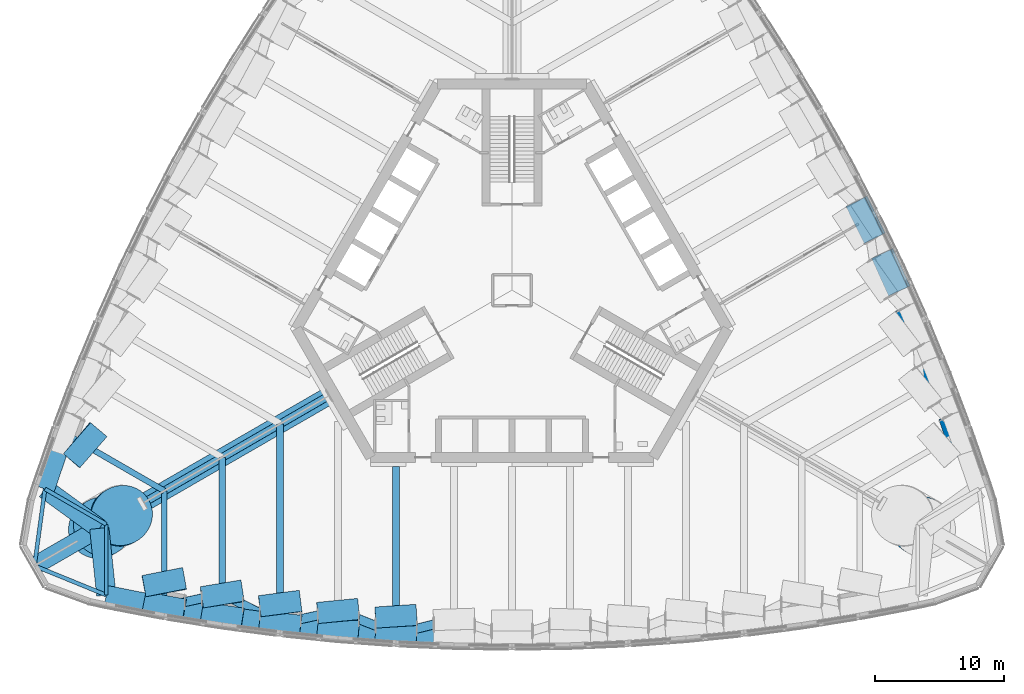
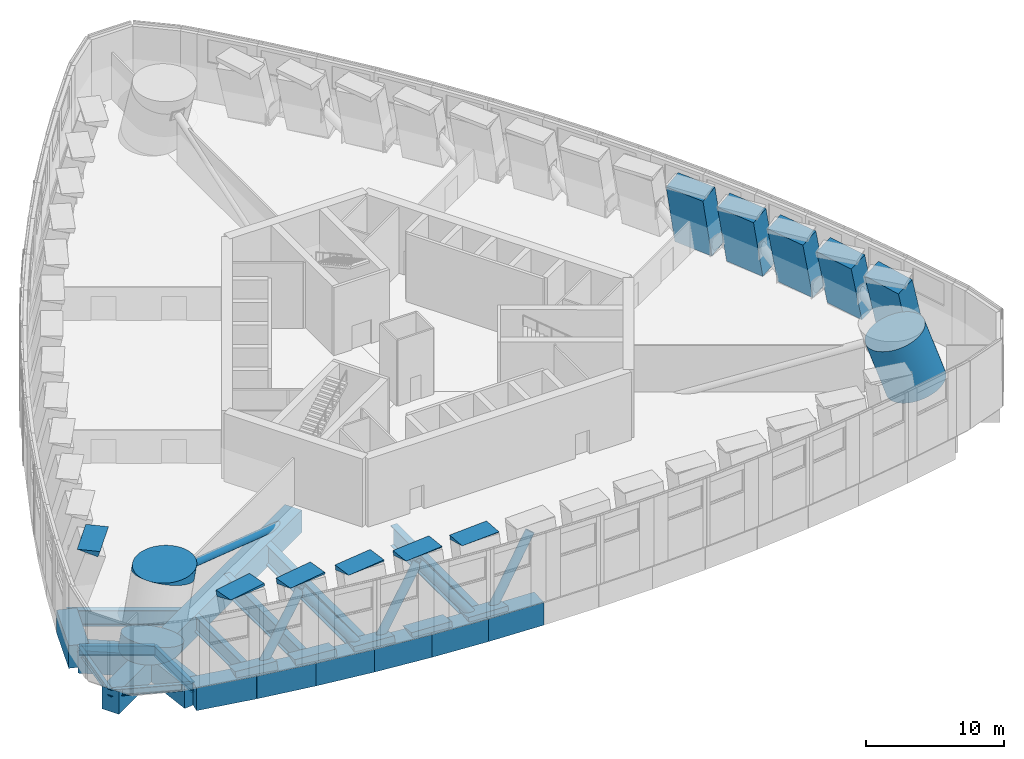
# One storey, part 2 of 28: 20 beams, 19 members, 6 columns.
"""IFC4 building model written with IfcOpenShell, lengths in metres."""

from ifc_helpers import new_model, si_unit, direction, frame, origin, origin_2d, place, context, subcontext, project, spatial, rectangle, circle, hollow_circle, i_section, extrude, clip, halfspace, material, material_profile, profile_set, type_object, element, save


model = new_model("IFC4")

# Units and contexts
model_context = context("Model", 3, precision=1e-05, world=origin(), true_north=direction((0.0, 1.0)))
body_context = subcontext(model_context, "Body", "Model", "MODEL_VIEW")
ifc_project = project(units=[si_unit("LENGTHUNIT", "METRE"), si_unit("AREAUNIT", "SQUARE_METRE"), si_unit("VOLUMEUNIT", "CUBIC_METRE"), si_unit("PLANEANGLEUNIT", "RADIAN"), si_unit("MASSUNIT", "GRAM", prefix="KILO")], contexts=[model_context])

# Site, building, storey
site_placement = place(None, origin())
site = spatial("IfcSite", under=ifc_project, at=site_placement, CompositionType="ELEMENT")
building_placement = place(site_placement, origin())
building = spatial("IfcBuilding", under=site, at=building_placement, Name="Trefoil Bronze Tower", CompositionType="ELEMENT")
storey_placement = place(building_placement, frame((0.0, 0.0, 92.10009765625)))
storey = spatial("IfcBuildingStorey", under=building, at=storey_placement, Name="L21", CompositionType="ELEMENT", Elevation=92.10009765625)

# Columns
ifc_material_1 = material(Name="Concrete B80", Category="concrete")
ifc_material_profile_1 = material_profile(ifc_material_1, circle(Radius=2.300048828125, at=origin_2d()), Name="RC D4600")
ifc_profile_set_1 = profile_set([ifc_material_profile_1], Name="Concrete B80")
column_type_1 = type_object("IfcColumnType", Name="Mega column RC D4600", PredefinedType="COLUMN", material=ifc_profile_set_1)
column_1_placement = place(storey_placement, frame((32.04296875, -18.5, 0.0), z_axis=(-0.273879842323, 0.158113013975, 0.948678083852), x_axis=(-0.499972520799, -0.866041268327, 0.0)))
element("IfcColumn", 1, at=column_1_placement, inside=storey, type_object=column_type_1, Name="Mega column K1 L21", PredefinedType="COLUMN", context=body_context, shape_type="Clipping", body=[
    clip(clip(extrude(circle(Radius=2.300048828125, at=origin_2d()), origin(), (0.0, 0.0, 1.0), 6.32470703125), halfspace(frame((0.0, 0.0, 0.767578125), z_axis=(-1.0033762616878938e-05, 1.6488271940395816e-05, 0.9999999998137303), x_axis=(0.0, 0.9999999998640685, -1.6488271941225806e-05)), True)), halfspace(frame((0.0, 0.0, 5.556884765625), z_axis=(1.0033762616878938e-05, -1.6488271940395816e-05, -0.9999999998137303), x_axis=(0.0, -0.9999999998640685, 1.6488271941225806e-05)), True)),
])
ifc_material_2 = material(Name="Concrete B80", Category="concrete")
ifc_material_profile_2 = material_profile(ifc_material_2, rectangle(XDim=3.199951171875, YDim=1.60009765625, at=origin_2d()), Name="RC 3200x1600")
ifc_profile_set_2 = profile_set([ifc_material_profile_2], Name="Concrete B80")
column_type_2 = type_object("IfcColumnType", Name="Tube column RC 3200x1600", PredefinedType="COLUMN", material=ifc_profile_set_2)
column_2_placement = place(storey_placement, frame((34.7763671875, -11.0986328125, 0.0), z_axis=(-0.260253003307, -0.150307169968, 0.953769431742), x_axis=(-0.339184179186, 0.939084894567, 0.055440539186)))
element("IfcColumn", 2, at=column_2_placement, inside=storey, type_object=column_type_2, Name="Tube column F2/-6 L21", PredefinedType="COLUMN", context=body_context, shape_type="Clipping", body=[
    clip(clip(extrude(rectangle(XDim=3.199951171875, YDim=1.60009765625, at=origin_2d()), origin(), (0.0, 0.0, 1.0), 6.290771484375), halfspace(frame((0.0, 0.0, 0.341552734375), z_axis=(3.97536991854075e-05, 2.3073170005383226e-05, 0.9999999989436362), x_axis=(0.0, 0.9999999997338145, -2.3073170023615142e-05)), True)), halfspace(frame((0.000244140625, 0.0, 5.948974609375), z_axis=(-3.97536991854075e-05, -2.3073170005383226e-05, -0.9999999989436362), x_axis=(0.0, -0.9999999997338145, 2.3073170023615142e-05)), True)),
])
column_3_placement = place(storey_placement, frame((33.159912109375, -6.8359375, 0.0), z_axis=(-0.236939319597, -0.136786078955, 0.961846831586), x_axis=(-0.363310131171, 0.930682021103, 0.042857020249)))
element("IfcColumn", 3, at=column_3_placement, inside=storey, type_object=column_type_2, Name="Tube column F2/-5 L21", PredefinedType="COLUMN", context=body_context, shape_type="Clipping", body=[
    clip(clip(extrude(rectangle(XDim=3.199951171875, YDim=1.60009765625, at=origin_2d()), origin(), (0.0, 0.0, 1.0), 6.238037109375), halfspace(frame((0.0, 0.0, 0.296875), z_axis=(-1.1830986778905983e-05, 1.4324303993784593e-05, 0.9999999998274212), x_axis=(0.0, 0.9999999998974072, -1.4324303994787094e-05)), True)), halfspace(frame((0.0, 0.000244140625, 5.94091796875), z_axis=(1.1830986778905983e-05, -1.4324303993784593e-05, -0.9999999998274212), x_axis=(0.0, -0.9999999998974072, 1.4324303994787094e-05)), True)),
])
column_4_placement = place(storey_placement, frame((31.42578125, -2.640869140625, 0.0), z_axis=(-0.217636836674, -0.125674836379, 0.967904976133), x_axis=(-0.390430392584, 0.920087338943, 0.031676446499)))
element("IfcColumn", 4, at=column_4_placement, inside=storey, type_object=column_type_2, Name="Tube column F2/-4 L21", PredefinedType="COLUMN", context=body_context, shape_type="Clipping", body=[
    clip(clip(extrude(rectangle(XDim=3.199951171875, YDim=1.60009765625, at=origin_2d()), origin(), (0.0, 0.0, 1.0), 6.198974609375), halfspace(frame((0.0, 0.0, 0.25927734375), z_axis=(1.6119245002534085e-05, 2.5335897412520618e-05, 0.9999999995491311), x_axis=(0.0, 0.9999999996790462, -2.5335897415812134e-05)), True)), halfspace(frame((0.0, 0.0, 5.939453125), z_axis=(-1.6119245002534085e-05, -2.5335897412520618e-05, -0.9999999995491311), x_axis=(0.0, -0.9999999996790462, 2.5335897415812134e-05)), True)),
])
column_5_placement = place(storey_placement, frame((29.575927734375, 1.487060546875, 0.0), z_axis=(-0.20262976704, -0.116980910023, 0.972243099332), x_axis=(-0.417791222298, 0.908271551682, 0.022209974679)))
element("IfcColumn", 5, at=column_5_placement, inside=storey, type_object=column_type_2, Name="Tube column F2/-3 L21", PredefinedType="COLUMN", context=body_context, shape_type="Clipping", body=[
    clip(clip(extrude(rectangle(XDim=3.199951171875, YDim=1.60009765625, at=origin_2d()), origin(), (0.0, 0.0, 1.0), 6.17138671875), halfspace(frame((0.000244140625, 0.0, 0.22900390625), z_axis=(-6.181182433073058e-06, -3.065069579338831e-06, 0.9999999999761991), x_axis=(0.0, 0.9999999999953028, 3.0650695793973846e-06)), True)), halfspace(frame((0.0, 0.0, 5.94189453125), z_axis=(6.181182433073058e-06, 3.065069579338831e-06, -0.9999999999761991), x_axis=(0.0, -0.9999999999953028, -3.0650695793973846e-06)), True)),
])
column_6_placement = place(storey_placement, frame((27.61083984375, 5.548828125, 0.0), z_axis=(-0.191886340443, -0.110783015409, 0.975144479474), x_axis=(-0.445390477365, 0.895226011395, 0.014060981253)))
element("IfcColumn", 6, at=column_6_placement, inside=storey, type_object=column_type_2, Name="Tube column F2/-2 L21", PredefinedType="COLUMN", context=body_context, shape_type="Clipping", body=[
    clip(clip(extrude(rectangle(XDim=3.199951171875, YDim=1.60009765625, at=origin_2d()), origin(), (0.0, 0.0, 1.0), 6.15283203125), halfspace(frame((0.0, 0.0, 0.205322265625), z_axis=(-8.069350751413462e-07, -2.2984768012629386e-05, 0.9999999997355247), x_axis=(0.0, 0.9999999997358503, 2.298476801263687e-05)), True)), halfspace(frame((0.0, 0.0, 5.947265625), z_axis=(8.069350751413462e-07, 2.2984768012629386e-05, -0.9999999997355247), x_axis=(0.0, -0.9999999997358503, -2.298476801263687e-05)), True)),
])

# Members
ifc_material_3 = material(Name="Steel C355", Category="steel")
ifc_material_profile_3 = material_profile(ifc_material_3, hollow_circle(Radius=0.35546875, WallThickness=0.02490234375, at=origin_2d()), Name="CHS 711x25")
ifc_profile_set_3 = profile_set([ifc_material_profile_3], Name="Steel C355")
member_type_1 = type_object("IfcMemberType", Name="Belt truss diagonal CHS 711x25", PredefinedType="BRACE", material=ifc_profile_set_3)
member_1_placement = place(storey_placement, frame((-27.0, -24.56787109375, -1.25), z_axis=(0.591893033477, 0.12828844774, 0.795741610762), x_axis=(-0.211824249233, 0.977307775185, 0.0)))
element("IfcMember", 7, at=member_1_placement, inside=storey, type_object=member_type_1, Name="Belt truss diagonal F1.1 L21", PredefinedType="BRACE", context=body_context, shape_type="SweptSolid", body=[
    extrude(hollow_circle(Radius=0.35546875, WallThickness=0.02490234375, at=origin_2d()), origin(), (0.0, 0.0, 1.0), 7.602783203125),
])
member_2_placement = place(storey_placement, frame((-18.0, -25.895263671875, -1.25), z_axis=(-0.570797990867, 0.292088034389, 0.767381413503), x_axis=(-0.455539895874, -0.890215369036, 0.0)))
element("IfcMember", 8, at=member_2_placement, inside=storey, type_object=member_type_1, Name="Belt truss diagonal F1.2 L21", PredefinedType="BRACE", context=body_context, shape_type="SweptSolid", body=[
    extrude(hollow_circle(Radius=0.35546875, WallThickness=0.02490234375, at=origin_2d()), origin(), (0.0, 0.0, 1.0), 7.8837890625),
])
member_3_placement = place(storey_placement, frame((-18.0, -25.895263671875, -1.25), z_axis=(0.591824531446, 0.129172639432, 0.795649516559), x_axis=(-0.213241590222, 0.976999500614, 0.0)))
element("IfcMember", 9, at=member_3_placement, inside=storey, type_object=member_type_1, Name="Belt truss diagonal F1.3 L21", PredefinedType="BRACE", context=body_context, shape_type="SweptSolid", body=[
    extrude(hollow_circle(Radius=0.35546875, WallThickness=0.02490234375, at=origin_2d()), origin(), (0.0, 0.0, 1.0), 7.603515625),
])
member_4_placement = place(storey_placement, frame((-9.0, -26.68603515625, -1.25), z_axis=(-0.580979041771, 0.228899186271, 0.781068828944), x_axis=(-0.366564241631, -0.930392743285, 0.0)))
element("IfcMember", 10, at=member_4_placement, inside=storey, type_object=member_type_1, Name="Belt truss diagonal F1.4 L21", PredefinedType="BRACE", context=body_context, shape_type="SweptSolid", body=[
    extrude(hollow_circle(Radius=0.35546875, WallThickness=0.02490234375, at=origin_2d()), origin(), (0.0, 0.0, 1.0), 7.74560546875),
])
member_5_placement = place(storey_placement, frame((-9.0, -26.68603515625, -1.25), z_axis=(0.590370828196, 0.146663846697, 0.793695156396), x_axis=(-0.241098240834, 0.970500715233, 0.0)))
element("IfcMember", 11, at=member_5_placement, inside=storey, type_object=member_type_1, Name="Belt truss diagonal F1.5 L21", PredefinedType="BRACE", context=body_context, shape_type="SweptSolid", body=[
    extrude(hollow_circle(Radius=0.35546875, WallThickness=0.02490234375, at=origin_2d()), origin(), (0.0, 0.0, 1.0), 7.622314453125),
])
ifc_material_4 = material(Name="Concrete B80", Category="concrete")
ifc_material_profile_4 = material_profile(ifc_material_4, rectangle(XDim=3.199951171875, YDim=1.60009765625, at=origin_2d()), Name="RC 3200x1600")
ifc_profile_set_4 = profile_set([ifc_material_profile_4], Name="Concrete B80")
member_type_2 = type_object("IfcMemberType", Name="Column node RC 3200x1600", PredefinedType="MEMBER", material=ifc_profile_set_4)
member_6_placement = place(storey_placement, frame((-9.0, -26.7314453125, -0.200439453125), z_axis=(0.0, 0.221646787207, 0.97512701825), x_axis=(0.997984339214, -0.061882229636, 0.014065857193)))
element("IfcMember", 12, at=member_6_placement, inside=storey, type_object=member_type_2, Name="Column node TC3216 L21 bottom", PredefinedType="MEMBER", context=body_context, shape_type="Clipping", body=[
    clip(extrude(rectangle(XDim=3.199951171875, YDim=1.60009765625, at=origin_2d()), origin(), (0.0, 0.0, 1.0), 0.410888671875), halfspace(frame((0.0, 0.0, 0.205322265625), z_axis=(0.014065857193368062, -0.22120002247000287, 0.9751270182497694), x_axis=(0.0, 0.9752234961962412, 0.22122190774600076)), True)),
])
member_7_placement = place(storey_placement, frame((-9.0, -25.27734375, 6.2001953125), z_axis=(0.0, -0.221646787207, -0.97512701825), x_axis=(-0.997984339214, -0.061882229636, 0.014065857193)))
element("IfcMember", 13, at=member_7_placement, inside=storey, type_object=member_type_2, Name="Column node TC3216 L21 top", PredefinedType="MEMBER", context=body_context, shape_type="Clipping", body=[
    clip(extrude(rectangle(XDim=3.199951171875, YDim=1.60009765625, at=origin_2d()), origin(), (0.0, 0.0, 1.0), 0.410888671875), halfspace(frame((0.0, 0.0, 0.205322265625), z_axis=(-0.014065857193368062, 0.22120002247000287, 0.9751270182497694), x_axis=(0.0, 0.9752234961962412, -0.22122190774600076)), True)),
])
member_8_placement = place(storey_placement, frame((-13.5, -26.41064453125, -0.222900390625), z_axis=(0.0, 0.23387665475, 0.972266275442), x_axis=(0.995484390526, -0.092292747966, 0.022200830881)))
element("IfcMember", 14, at=member_8_placement, inside=storey, type_object=member_type_2, Name="Column node TC3216 L21 bottom", PredefinedType="MEMBER", context=body_context, shape_type="Clipping", body=[
    clip(extrude(rectangle(XDim=3.199951171875, YDim=1.60009765625, at=origin_2d()), origin(), (0.0, 0.0, 1.0), 0.458251953125), halfspace(frame((0.0, 0.0, 0.229248046875), z_axis=(0.02220083088062542, -0.23282055911235583, 0.9722662754424941), x_axis=(0.0, 0.9725059678401835, 0.23287795626728608)), True)),
])
member_9_placement = place(storey_placement, frame((-13.5, -24.859375, 6.22265625), z_axis=(0.0, -0.23438016878, -0.972145018237), x_axis=(-0.995484390526, -0.09228123758, 0.022248627142)))
element("IfcMember", 15, at=member_9_placement, inside=storey, type_object=member_type_2, Name="Column node TC3216 L21 top", PredefinedType="MEMBER", context=body_context, shape_type="Clipping", body=[
    clip(extrude(rectangle(XDim=3.199951171875, YDim=1.60009765625, at=origin_2d()), origin(), (0.0, 0.0, 1.0), 0.458251953125), halfspace(frame((0.0, 0.0, 0.229248046875), z_axis=(-0.02224862714246216, 0.2333217994697166, 0.9721450182367285), x_axis=(0.0, 0.9723857141762793, -0.2333795682271422)), True)),
])
member_10_placement = place(storey_placement, frame((-18.0, -25.96044921875, -0.251220703125), z_axis=(0.0, 0.251713177021, 0.967801878751), x_axis=(0.99202489659, -0.121983756508, 0.031726451012)))
element("IfcMember", 16, at=member_10_placement, inside=storey, type_object=member_type_2, Name="Column node TC3216 L21 bottom", PredefinedType="MEMBER", context=body_context, shape_type="Clipping", body=[
    clip(extrude(rectangle(XDim=3.199951171875, YDim=1.60009765625, at=origin_2d()), origin(), (0.0, 0.0, 1.0), 0.518798828125), halfspace(frame((0.0, 0.0, 0.259521484375), z_axis=(0.03172645101194013, -0.2497057384044261, 0.967801878751063), x_axis=(0.0, 0.9682893258208815, 0.24983150622237985)), True)),
])
member_11_placement = place(storey_placement, frame((-18.0, -24.27197265625, 6.2509765625), z_axis=(0.0, -0.251272416994, -0.967916407784), x_axis=(-0.99202489659, -0.121998191985, 0.031670896704)))
element("IfcMember", 17, at=member_11_placement, inside=storey, type_object=member_type_2, Name="Column node TC3216 L21 top", PredefinedType="MEMBER", context=body_context, shape_type="Clipping", body=[
    clip(extrude(rectangle(XDim=3.199951171875, YDim=1.60009765625, at=origin_2d()), origin(), (0.0, 0.0, 1.0), 0.518798828125), halfspace(frame((0.0, 0.0, 0.25927734375), z_axis=(-0.03167089670380934, 0.2492684934844656, 0.9679164077842475), x_axis=(0.0, 0.9684022054672045, -0.2493936014541157)), True)),
])
member_12_placement = place(storey_placement, frame((-22.5, -25.380615234375, -0.285888671875), z_axis=(0.0, 0.273635650863, 0.961833421428), x_axis=(0.987654538404, -0.150669026575, 0.042864404826)))
element("IfcMember", 18, at=member_12_placement, inside=storey, type_object=member_type_2, Name="Column node TC3216 L21 bottom", PredefinedType="MEMBER", context=body_context, shape_type="Clipping", body=[
    clip(extrude(rectangle(XDim=3.199951171875, YDim=1.60009765625, at=origin_2d()), origin(), (0.0, 0.0, 1.0), 0.59423828125), halfspace(frame((0.0, 0.0, 0.297119140625), z_axis=(0.04286440482648069, -0.2702574924443748, 0.9618334214283419), x_axis=(0.0, 0.9627182567156463, 0.2705061148779954)), True)),
])
member_13_placement = place(storey_placement, frame((-22.5, -23.51123046875, 6.28564453125), z_axis=(0.0, -0.273635650863, -0.961833421428), x_axis=(-0.987654538404, -0.150669026575, 0.042864404826)))
element("IfcMember", 19, at=member_13_placement, inside=storey, type_object=member_type_2, Name="Column node TC3216 L21 top", PredefinedType="MEMBER", context=body_context, shape_type="Clipping", body=[
    clip(extrude(rectangle(XDim=3.199951171875, YDim=1.60009765625, at=origin_2d()), origin(), (0.0, 0.0, 1.0), 0.59423828125), halfspace(frame((0.0, 0.0, 0.297119140625), z_axis=(-0.04286440482648069, 0.2702574924443748, 0.9618334214283419), x_axis=(0.0, 0.9627182567156463, -0.2705061148779954)), True)),
])
member_14_placement = place(storey_placement, frame((-27.0, -24.670654296875, -0.326171875), z_axis=(0.0, 0.300327992537, 0.953835990566), x_axis=(0.982838110914, -0.175954297973, 0.05540155919)))
element("IfcMember", 20, at=member_14_placement, inside=storey, type_object=member_type_2, Name="Column node TC3216 L21 bottom", PredefinedType="MEMBER", context=body_context, shape_type="Clipping", body=[
    clip(extrude(rectangle(XDim=3.199951171875, YDim=1.60009765625, at=origin_2d()), origin(), (0.0, 0.0, 1.0), 0.68359375), halfspace(frame((0.0, 0.0, 0.341796875), z_axis=(0.055401559189687546, -0.29517379683935485, 0.9538359905658786), x_axis=(0.0, 0.9553031889482043, 0.295627835606513)), True)),
])
member_15_placement = place(storey_placement, frame((-27.0, -22.574462890625, 6.325927734375), z_axis=(0.0, -0.3006528384, -0.953733647704), x_axis=(-0.982838110914, -0.175935418767, 0.055461483565)))
element("IfcMember", 21, at=member_15_placement, inside=storey, type_object=member_type_2, Name="Column node TC3216 L21 top", PredefinedType="MEMBER", context=body_context, shape_type="Clipping", body=[
    clip(extrude(rectangle(XDim=3.199951171875, YDim=1.60009765625, at=origin_2d()), origin(), (0.0, 0.0, 1.0), 0.683837890625), halfspace(frame((0.0, 0.0, 0.341796875), z_axis=(-0.05546148356491458, 0.2954930677338513, 0.9537336477036009), x_axis=(0.0, 0.9552038713352817, -0.2959485836865769)), True)),
])
member_16_placement = place(storey_placement, frame((-33.050048828125, -12.095458984375, 6.325927734375), z_axis=(-0.260308621735, 0.150329121743, -0.953750793765), x_axis=(0.643873994787, 0.76311952906, -0.05545144907)))
element("IfcMember", 22, at=member_16_placement, inside=storey, type_object=member_type_2, Name="Column node TC3216 L21 top", PredefinedType="MEMBER", context=body_context, shape_type="Clipping", body=[
    clip(extrude(rectangle(XDim=3.199951171875, YDim=1.60009765625, at=origin_2d()), origin(), (0.0, 0.0, 1.0), 0.683837890625), halfspace(frame((0.0, 0.0, 0.341796875), z_axis=(0.055451449069781666, 0.29543960497809013, 0.9537507937645198), x_axis=(0.0, 0.9552205106288151, -0.29589487334867065)), True)),
])
ifc_material_5 = material(Name="Concrete B80", Category="concrete")
ifc_material_profile_5 = material_profile(ifc_material_5, circle(Radius=2.300048828125, at=origin_2d()), Name="RC D4600")
ifc_profile_set_5 = profile_set([ifc_material_profile_5], Name="Concrete B80")
member_type_3 = type_object("IfcMemberType", Name="Column node RC D4600", PredefinedType="MEMBER", material=ifc_profile_set_5)
member_17_placement = place(storey_placement, frame((-32.253173828125, -18.621337890625, -0.728271484375), z_axis=(0.273828881458, 0.158063825882, 0.94870099116), x_axis=(-0.499925626596, 0.866068339032, 0.0)))
element("IfcMember", 23, at=member_17_placement, inside=storey, type_object=member_type_3, Name="Column node MC46 L21 bottom", PredefinedType="MEMBER", context=body_context, shape_type="Clipping", body=[
    clip(extrude(circle(Radius=2.300048828125, at=origin_2d()), origin(), (0.0, 0.0, 1.0), 1.535400390625), halfspace(frame((0.0, 0.0, 0.767578125), z_axis=(0.0, 0.31617468173918134, 0.9487009911595579), x_axis=(0.0, 0.9487009911595579, -0.31617468173918134)), True)),
])
member_18_placement = place(storey_placement, frame((-30.1005859375, -17.378662109375, 6.728271484375), z_axis=(-0.273975966259, -0.158056941649, -0.94865967191), x_axis=(0.499707946392, -0.866193955366, 0.0)))
element("IfcMember", 24, at=member_18_placement, inside=storey, type_object=member_type_3, Name="Column node MC46 L21 top", PredefinedType="MEMBER", context=body_context, shape_type="Clipping", body=[
    clip(extrude(circle(Radius=2.300048828125, at=origin_2d()), origin(), (0.0, 0.0, 1.0), 1.535400390625), halfspace(frame((0.0, 0.0, 0.767822265625), z_axis=(0.0, -0.31629863561365157, 0.9486596719102918), x_axis=(0.0, 0.9486596719102918, 0.31629863561365157)), True)),
])

# Beams
ifc_material_6 = material(Name="Concrete B80", Category="concrete")
ifc_material_profile_6 = material_profile(ifc_material_6, rectangle(XDim=1.39990234375, YDim=2.0, at=origin_2d()), Name="RC 1400x2000")
ifc_profile_set_6 = profile_set([ifc_material_profile_6], Name="Concrete B80")
beam_type_1 = type_object("IfcBeamType", Name="Corner cantilever RC 1400x2000", PredefinedType="BEAM", material=ifc_profile_set_6)
beam_1_placement = place(storey_placement, frame((-32.04296875, -18.5, -1.25), z_axis=(-0.866030348588, -0.499991435252, 0.0), x_axis=(0.499991435252, -0.866030348588, 0.0)))
element("IfcBeam", 25, at=beam_1_placement, inside=storey, type_object=beam_type_1, Name="Corner cantilever K3 L21", PredefinedType="BEAM", context=body_context, shape_type="SweptSolid", body=[
    extrude(rectangle(XDim=1.39990234375, YDim=2.0, at=origin_2d()), origin(), (0.0, 0.0, 1.0), 5.81396484375),
])
ifc_material_7 = material(Name="Steel C355", Category="steel")
ifc_material_profile_7 = material_profile(ifc_material_7, i_section(OverallWidth=0.300048828125, OverallDepth=0.60009765625, WebThickness=0.015380859375, FlangeThickness=0.030029296875, FilletRadius=0.027099609375, at=origin_2d()), Name="HEB 600")
ifc_profile_set_7 = profile_set([ifc_material_profile_7], Name="Steel C355")
beam_type_2 = type_object("IfcBeamType", Name="Corner edge beam HEB 600", PredefinedType="BEAM", material=ifc_profile_set_7)
beam_2_placement = place(storey_placement, frame((-31.5, -23.684814453125, -0.550048828125), z_axis=(-0.925786874353, 0.378045848114, 0.0), x_axis=(-0.378045848114, -0.925786874353, 0.0)))
element("IfcBeam", 26, at=beam_2_placement, inside=storey, type_object=beam_type_2, Name="Corner edge beam F1B L21", PredefinedType="BEAM", context=body_context, shape_type="SweptSolid", body=[
    extrude(i_section(OverallWidth=0.300048828125, OverallDepth=0.60009765625, WebThickness=0.015380859375, FlangeThickness=0.030029296875, FilletRadius=0.027099609375, at=origin_2d()), origin(), (0.0, 0.0, 1.0), 6.025390625),
])
beam_3_placement = place(storey_placement, frame((-36.26171875, -15.4375, -0.550048828125), z_axis=(-0.13550196505, -0.990777077585, 0.0), x_axis=(0.990777077585, -0.13550196505, 0.0)))
element("IfcBeam", 27, at=beam_3_placement, inside=storey, type_object=beam_type_2, Name="Corner edge beam F3A L21", PredefinedType="BEAM", context=body_context, shape_type="SweptSolid", body=[
    extrude(i_section(OverallWidth=0.300048828125, OverallDepth=0.60009765625, WebThickness=0.015380859375, FlangeThickness=0.030029296875, FilletRadius=0.027099609375, at=origin_2d()), origin(), (0.0, 0.0, 1.0), 6.025146484375),
])
ifc_material_8 = material(Name="Concrete B80", Category="concrete")
ifc_material_profile_8 = material_profile(ifc_material_8, rectangle(XDim=1.39990234375, YDim=2.0, at=origin_2d()), Name="RC 1400x2000")
ifc_profile_set_8 = profile_set([ifc_material_profile_8], Name="Concrete B80")
beam_type_3 = type_object("IfcBeamType", Name="Corner girder RC 1400x2000", PredefinedType="BEAM", material=ifc_profile_set_8)
beam_4_placement = place(storey_placement, frame((-14.202880859375, -8.199951171875, -1.25), z_axis=(-0.866023947468, -0.500002522405, 0.0), x_axis=(0.500002522405, -0.866023947468, 0.0)))
element("IfcBeam", 28, at=beam_4_placement, inside=storey, type_object=beam_type_3, Name="Corner girder K3 L21", PredefinedType="BEAM", context=body_context, shape_type="SweptSolid", body=[
    extrude(rectangle(XDim=1.39990234375, YDim=2.0, at=origin_2d()), origin(), (0.0, 0.0, 1.0), 20.60009765625),
])
ifc_material_9 = material(Name="Concrete B80", Category="concrete")
ifc_material_profile_9 = material_profile(ifc_material_9, rectangle(XDim=1.5, YDim=2.0, at=origin_2d()), Name="RC 1500x2000")
ifc_profile_set_9 = profile_set([ifc_material_profile_9], Name="Concrete B80")
beam_type_4 = type_object("IfcBeamType", Name="End spandrel beam RC 1500x2000", PredefinedType="SPANDREL", material=ifc_profile_set_9)
for number, where, z_axis, x_axis, name in (
    (29, (-32.04296875, -18.5, -1.25), (0.104153327908, -0.994561252154, 0.0), (0.994561252154, 0.104153327908, 0.0), "Spandrel F1.1 L21"),
    (30, (-36.26171875, -15.4375, -1.25), (0.809254211267, -0.587458612624, 0.0), (0.587458612624, 0.809254211267, 0.0), "Spandrel F3.16 L21"),
):
    element("IfcBeam", number, at=place(storey_placement, frame(where, z_axis=z_axis, x_axis=x_axis)), inside=storey, type_object=beam_type_4, Name=name, PredefinedType="SPANDREL", context=body_context, shape_type="SweptSolid", body=[
        extrude(rectangle(XDim=1.5, YDim=2.0, at=origin_2d()), origin(), (0.0, 0.0, 1.0), 5.213134765625),
    ])
ifc_material_10 = material(Name="Steel C355", Category="steel")
ifc_material_profile_10 = material_profile(ifc_material_10, i_section(OverallWidth=0.300048828125, OverallDepth=0.89990234375, WebThickness=0.0185546875, FlangeThickness=0.034912109375, FilletRadius=0.030029296875, at=origin_2d()), Name="HEB 900")
ifc_profile_set_10 = profile_set([ifc_material_profile_10], Name="Steel C355")
beam_type_5 = type_object("IfcBeamType", Name="Floor beam HEB 900", PredefinedType="BEAM", material=ifc_profile_set_10)
for number, where, z_axis, x_axis, name in (
    (31, (-31.5, -23.684814453125, -0.7001953125), (0.0, 1.0, 0.0), (-1.0, 0.0, 0.0), "Floor beam F1/-7 L21"),
    (32, (-36.26171875, -15.4375, -0.7001953125), (0.866037702141, -0.499978698016, 0.0), (0.499978698016, 0.866037702141, 0.0), "Floor beam F3/+7 L21"),
):
    element("IfcBeam", number, at=place(storey_placement, frame(where, z_axis=z_axis, x_axis=x_axis)), inside=storey, type_object=beam_type_5, Name=name, PredefinedType="BEAM", context=body_context, shape_type="SweptSolid", body=[
        extrude(i_section(OverallWidth=0.300048828125, OverallDepth=0.89990234375, WebThickness=0.0185546875, FlangeThickness=0.034912109375, FilletRadius=0.030029296875, at=origin_2d()), origin(), (0.0, 0.0, 1.0), 5.498291015625),
    ])
ifc_material_11 = material(Name="Steel C355", Category="steel")
ifc_material_profile_11 = material_profile(ifc_material_11, i_section(OverallWidth=0.449951171875, OverallDepth=1.39990234375, WebThickness=0.02294921875, FlangeThickness=0.044921875, FilletRadius=0.011962890625, at=origin_2d()), Name="WPG 1400")
ifc_profile_set_11 = profile_set([ifc_material_profile_11], Name="Steel C355")
beam_type_6 = type_object("IfcBeamType", Name="Floor beam WPG 1400", PredefinedType="BEAM", material=ifc_profile_set_11)
for number, where, z_axis, x_axis, name in (
    (33, (-27.0, -24.56787109375, -0.9501953125), (0.0, 1.0, 0.0), (-1.0, 0.0, 0.0), "Floor beam F1/-6 L21"),
    (34, (-34.7763671875, -11.0986328125, -0.9501953125), (0.866022587327, -0.500004878216, 0.0), (0.500004878216, 0.866022587327, 0.0), "Floor beam F3/+6 L21"),
):
    element("IfcBeam", number, at=place(storey_placement, frame(where, z_axis=z_axis, x_axis=x_axis)), inside=storey, type_object=beam_type_6, Name=name, PredefinedType="BEAM", context=body_context, shape_type="SweptSolid", body=[
        extrude(i_section(OverallWidth=0.449951171875, OverallDepth=1.39990234375, WebThickness=0.02294921875, FlangeThickness=0.044921875, FilletRadius=0.011962890625, at=origin_2d()), origin(), (0.0, 0.0, 1.0), 8.9794921875),
    ])
ifc_material_12 = material(Name="Steel C355", Category="steel")
ifc_material_profile_12 = material_profile(ifc_material_12, i_section(OverallWidth=0.5, OverallDepth=1.60009765625, WebThickness=0.02587890625, FlangeThickness=0.050048828125, FilletRadius=0.011962890625, at=origin_2d()), Name="WPG 1600")
ifc_profile_set_12 = profile_set([ifc_material_profile_12], Name="Steel C355")
beam_type_7 = type_object("IfcBeamType", Name="Floor beam WPG 1600", PredefinedType="BEAM", material=ifc_profile_set_12)
beam_5_placement = place(storey_placement, frame((-22.5, -25.29931640625, -1.050048828125), z_axis=(0.0, 1.0, 0.0), x_axis=(-1.0, 0.0, 0.0)))
element("IfcBeam", 35, at=beam_5_placement, inside=storey, type_object=beam_type_7, Name="Floor beam F1/-5 L21", PredefinedType="BEAM", context=body_context, shape_type="SweptSolid", body=[
    extrude(i_section(OverallWidth=0.5, OverallDepth=1.60009765625, WebThickness=0.02587890625, FlangeThickness=0.050048828125, FilletRadius=0.011962890625, at=origin_2d()), origin(), (0.0, 0.0, 1.0), 12.308837890625),
])
ifc_material_13 = material(Name="Steel C355", Category="steel")
ifc_material_profile_13 = material_profile(ifc_material_13, i_section(OverallWidth=0.550048828125, OverallDepth=1.800048828125, WebThickness=0.029052734375, FlangeThickness=0.054931640625, FilletRadius=0.013916015625, at=origin_2d()), Name="WPG 1800")
ifc_profile_set_13 = profile_set([ifc_material_profile_13], Name="Steel C355")
beam_type_8 = type_object("IfcBeamType", Name="Floor beam WPG 1800", PredefinedType="BEAM", material=ifc_profile_set_13)
beam_6_placement = place(storey_placement, frame((-18.0, -25.895263671875, -1.150146484375), z_axis=(0.0, 1.0, 0.0), x_axis=(-1.0, 0.0, 0.0)))
element("IfcBeam", 36, at=beam_6_placement, inside=storey, type_object=beam_type_8, Name="Floor beam F1/-4 L21", PredefinedType="BEAM", context=body_context, shape_type="SweptSolid", body=[
    extrude(i_section(OverallWidth=0.550048828125, OverallDepth=1.800048828125, WebThickness=0.029052734375, FlangeThickness=0.054931640625, FilletRadius=0.013916015625, at=origin_2d()), origin(), (0.0, 0.0, 1.0), 15.5029296875),
])
beam_7_placement = place(storey_placement, frame((-9.0, -26.68603515625, -1.150146484375), z_axis=(0.0, 1.0, 0.0), x_axis=(-1.0, 0.0, 0.0)))
element("IfcBeam", 37, at=beam_7_placement, inside=storey, type_object=beam_type_8, Name="Floor beam F1/-2 L21", PredefinedType="BEAM", context=body_context, shape_type="SweptSolid", body=[
    extrude(i_section(OverallWidth=0.550048828125, OverallDepth=1.800048828125, WebThickness=0.029052734375, FlangeThickness=0.054931640625, FilletRadius=0.013916015625, at=origin_2d()), origin(), (0.0, 0.0, 1.0), 12.986083984375),
])

# Member
ifc_material_14 = material(Name="Steel C355", Category="steel")
ifc_material_profile_14 = material_profile(ifc_material_14, hollow_circle(Radius=0.304931640625, WallThickness=0.02490234375, at=origin_2d()), Name="CHS 610x25")
ifc_profile_set_14 = profile_set([ifc_material_profile_14], Name="Steel C355")
member_type_4 = type_object("IfcMemberType", Name="Outrigger brace CHS 610x25", PredefinedType="BRACE", material=ifc_profile_set_14)
member_19_placement = place(storey_placement, frame((-14.202880859375, -8.199951171875, -1.25), z_axis=(-0.821580821447, -0.474347179838, 0.316227302444), x_axis=(0.500005748546, -0.866022084834, 0.0)))
element("IfcMember", 38, at=member_19_placement, inside=storey, type_object=member_type_4, Name="Outrigger brace K3 L21", PredefinedType="BRACE", context=body_context, shape_type="SweptSolid", body=[
    extrude(hollow_circle(Radius=0.304931640625, WallThickness=0.02490234375, at=origin_2d()), origin(), (0.0, 0.0, 1.0), 19.60595703125),
])

# Beams
ifc_material_15 = material(Name="Concrete B80", Category="concrete")
ifc_material_profile_15 = material_profile(ifc_material_15, rectangle(XDim=1.5, YDim=2.0, at=origin_2d()), Name="RC 1500x2000")
ifc_profile_set_15 = profile_set([ifc_material_profile_15], Name="Concrete B80")
beam_type_9 = type_object("IfcBeamType", Name="Spandrel beam RC 1500x2000", PredefinedType="SPANDREL", material=ifc_profile_set_15)
beam_8_placement = place(storey_placement, frame((-31.5, -23.684814453125, -1.25), z_axis=(0.981284764092, -0.192562228283, 0.0), x_axis=(0.192562228283, 0.981284764092, 0.0)))
element("IfcBeam", 39, at=beam_8_placement, inside=storey, type_object=beam_type_9, Name="Spandrel F1.2 L21", PredefinedType="SPANDREL", context=body_context, shape_type="SweptSolid", body=[
    extrude(rectangle(XDim=1.5, YDim=2.0, at=origin_2d()), origin(), (0.0, 0.0, 1.0), 4.5859375),
])
beam_9_placement = place(storey_placement, frame((-27.0, -24.56787109375, -1.25), z_axis=(0.987045951254, -0.160437807615, 0.0), x_axis=(0.160437807615, 0.987045951254, 0.0)))
element("IfcBeam", 40, at=beam_9_placement, inside=storey, type_object=beam_type_9, Name="Spandrel F1.3 L21", PredefinedType="SPANDREL", context=body_context, shape_type="SweptSolid", body=[
    extrude(rectangle(XDim=1.5, YDim=2.0, at=origin_2d()), origin(), (0.0, 0.0, 1.0), 4.55908203125),
])
beam_10_placement = place(storey_placement, frame((-22.5, -25.29931640625, -1.25), z_axis=(0.991344474846, -0.131286450906, 0.0), x_axis=(0.131286450906, 0.991344474846, 0.0)))
element("IfcBeam", 41, at=beam_10_placement, inside=storey, type_object=beam_type_9, Name="Spandrel F1.4 L21", PredefinedType="SPANDREL", context=body_context, shape_type="SweptSolid", body=[
    extrude(rectangle(XDim=1.5, YDim=2.0, at=origin_2d()), origin(), (0.0, 0.0, 1.0), 4.539306640625),
])
beam_11_placement = place(storey_placement, frame((-18.0, -25.895263671875, -1.25), z_axis=(0.994778488621, -0.102057623805, 0.0), x_axis=(0.102057623805, 0.994778488621, 0.0)))
element("IfcBeam", 42, at=beam_11_placement, inside=storey, type_object=beam_type_9, Name="Spandrel F1.5 L21", PredefinedType="SPANDREL", context=body_context, shape_type="SweptSolid", body=[
    extrude(rectangle(XDim=1.5, YDim=2.0, at=origin_2d()), origin(), (0.0, 0.0, 1.0), 4.523681640625),
])
beam_12_placement = place(storey_placement, frame((-13.5, -26.35693359375, -1.25), z_axis=(0.997336412354, -0.072938882588, 0.0), x_axis=(0.072938882588, 0.997336412354, 0.0)))
element("IfcBeam", 43, at=beam_12_placement, inside=storey, type_object=beam_type_9, Name="Spandrel F1.6 L21", PredefinedType="SPANDREL", context=body_context, shape_type="SweptSolid", body=[
    extrude(rectangle(XDim=1.5, YDim=2.0, at=origin_2d()), origin(), (0.0, 0.0, 1.0), 4.511962890625),
])
beam_13_placement = place(storey_placement, frame((-9.0, -26.68603515625, -1.25), z_axis=(0.999042919826, -0.043740648671, 0.0), x_axis=(0.043740648671, 0.999042919826, 0.0)))
element("IfcBeam", 44, at=beam_13_placement, inside=storey, type_object=beam_type_9, Name="Spandrel F1.7 L21", PredefinedType="SPANDREL", context=body_context, shape_type="SweptSolid", body=[
    extrude(rectangle(XDim=1.5, YDim=2.0, at=origin_2d()), origin(), (0.0, 0.0, 1.0), 4.50439453125),
])
beam_14_placement = place(storey_placement, frame((-34.7763671875, -11.0986328125, -1.25), z_axis=(-0.323883319148, -0.946097032855, 0.0), x_axis=(0.946097032855, -0.323883319148, 0.0)))
element("IfcBeam", 45, at=beam_14_placement, inside=storey, type_object=beam_type_9, Name="Spandrel F3.15 L21", PredefinedType="SPANDREL", context=body_context, shape_type="SweptSolid", body=[
    extrude(rectangle(XDim=1.5, YDim=2.0, at=origin_2d()), origin(), (0.0, 0.0, 1.0), 4.586181640625),
])

save(model, "model.ifc")
